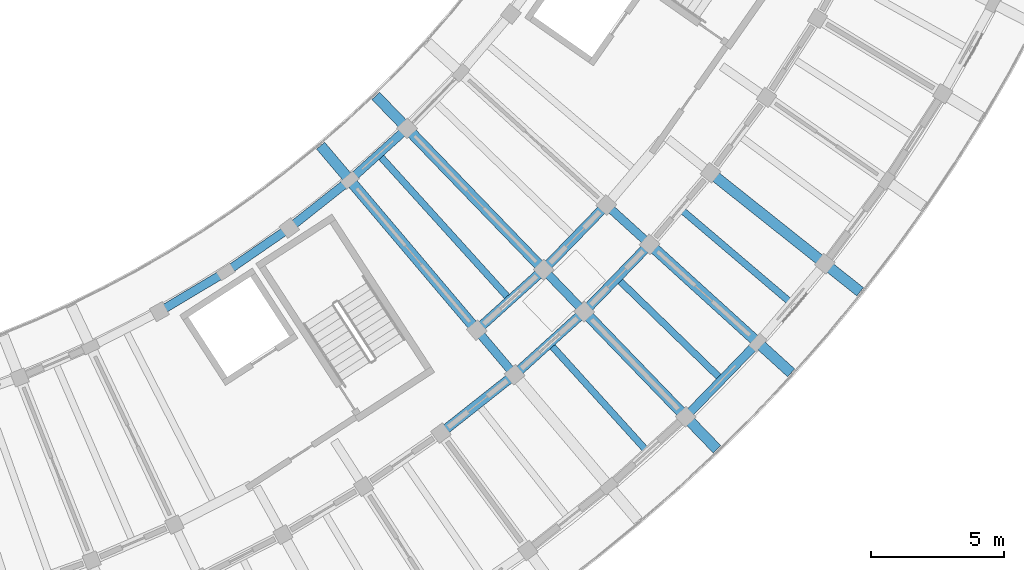
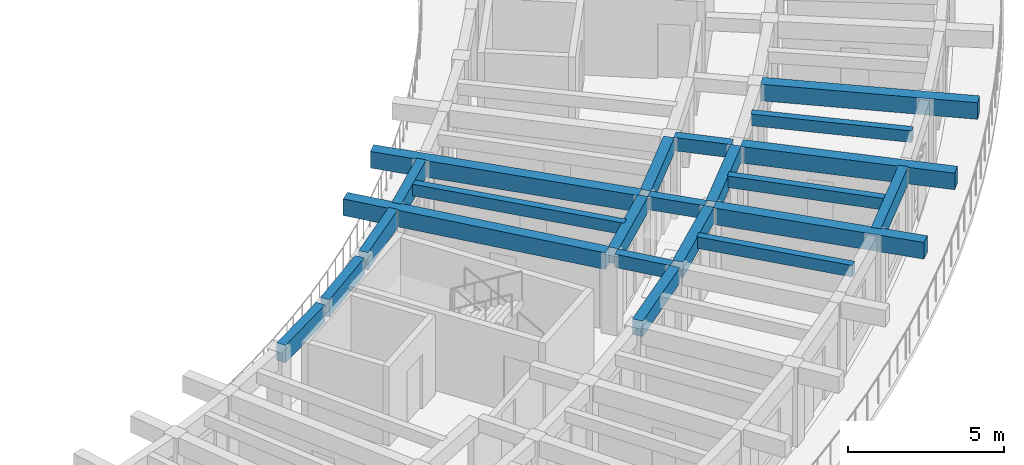
# One storey, part 17 of 81: 22 beams.
"""IFC4 building model written with IfcOpenShell, lengths in metres."""

import ifcopenshell
import ifcopenshell.guid

model = None  # the IFC model being written
_history = None  # IfcOwnerHistory: only IFC2X3 demands one
_inside = {}  # id of a spatial element -> (the spatial element, [elements in it])
_under = {}  # id of a project, library or spatial element -> (it, [spatial elements below it])
_declared = {}  # id of a project -> (the project, [libraries it declares])
_typed = {}  # id of a type object -> (the type object, [elements of that type])
_made_of = {}  # id of a material, layer set ... -> (it, [elements and type objects made of it])


def new_model(schema):
    """Start an empty IFC model of exactly this schema.

    Asked for "IFC4X3", IfcOpenShell would pick the latest addendum, in which some entities
    have other attributes; the version numbers below select the first issue.
    IFC2X3 requires an IfcOwnerHistory on every rooted entity: one is made here for all.
    """
    global model, _history
    if schema == "IFC4X3":
        model = ifcopenshell.file(schema_version=(4, 3, 0, 0))
    else:
        model = ifcopenshell.file(schema=schema)
    _inside.clear()
    _under.clear()
    _declared.clear()
    _typed.clear()
    _made_of.clear()
    _history = None
    if model.schema == "IFC2X3":
        org = make("IfcOrganization", Name="unknown")
        user = make(
            "IfcPersonAndOrganization",
            ThePerson=make("IfcPerson", FamilyName="unknown"),
            TheOrganization=org,
        )
        app = make(
            "IfcApplication",
            ApplicationDeveloper=org,
            Version="unknown",
            ApplicationFullName="unknown",
            ApplicationIdentifier="unknown",
        )
        _history = make(
            "IfcOwnerHistory",
            OwningUser=user,
            OwningApplication=app,
            ChangeAction="ADDED",
            CreationDate=0,
        )
    return model


def make(cls, **values):
    """One entity of the class cls with the attributes given. An attribute that is None is left unset."""
    return model.create_entity(
        cls, **{name: value for name, value in values.items() if value is not None}
    )


def rooted(cls, **values):
    """An entity with a GlobalId (a new one), such as an element, a storey or a relation."""
    return make(cls, GlobalId=ifcopenshell.guid.new(), OwnerHistory=_history, **values)


def si_unit(unit_type, name, prefix=None):
    """IfcSIUnit, for example si_unit("LENGTHUNIT", "METRE", prefix="MILLI")."""
    return make("IfcSIUnit", UnitType=unit_type, Prefix=prefix, Name=name)


def assignment(units):
    """IfcUnitAssignment: the units of a project."""
    return None if units is None else make("IfcUnitAssignment", Units=units)


def point(xyz):
    """IfcCartesianPoint."""
    return None if xyz is None else make("IfcCartesianPoint", Coordinates=xyz)


def direction(xyz):
    """IfcDirection."""
    return None if xyz is None else make("IfcDirection", DirectionRatios=xyz)


def frame(location, z_axis=None, x_axis=None):
    """IfcAxis2Placement3D, a coordinate frame: its origin and axes. An axis left out is left unset."""
    return make(
        "IfcAxis2Placement3D",
        Location=point(location),
        Axis=direction(z_axis),
        RefDirection=direction(x_axis),
    )


def frame_2d(location, x_axis=None):
    """IfcAxis2Placement2D, a coordinate frame in the plane: its origin and x axis."""
    return make(
        "IfcAxis2Placement2D", Location=point(location), RefDirection=direction(x_axis)
    )


def origin():
    """The frame at (0, 0, 0) with its axes left unset."""
    return frame((0.0, 0.0, 0.0))


def origin_2d():
    """The frame at (0, 0) in the plane with its x axis left unset."""
    return frame_2d((0.0, 0.0))


def place(relative_to, where):
    """IfcLocalPlacement: puts the frame where relative to a parent placement (None: the world)."""
    return make(
        "IfcLocalPlacement", PlacementRelTo=relative_to, RelativePlacement=where
    )


def context(
    kind, dimensions, precision=None, world=None, true_north=None, identifier=None
):
    """IfcGeometricRepresentationContext, for example the 3D "Model" context."""
    return make(
        "IfcGeometricRepresentationContext",
        ContextIdentifier=identifier,
        ContextType=kind,
        CoordinateSpaceDimension=dimensions,
        Precision=precision,
        WorldCoordinateSystem=world,
        TrueNorth=true_north,
    )


def subcontext(parent, identifier, kind, view, scale=None):
    """IfcGeometricRepresentationSubContext, for example "Body" below "Model"."""
    return make(
        "IfcGeometricRepresentationSubContext",
        ContextIdentifier=identifier,
        ContextType=kind,
        ParentContext=parent,
        TargetScale=scale,
        TargetView=view,
    )


def project(units=None, contexts=None):
    """IfcProject with its units and contexts."""
    return rooted(
        "IfcProject",
        Name="project",
        RepresentationContexts=contexts,
        UnitsInContext=assignment(units),
    )


def spatial(cls, under=None, at=None, **own):
    """A site, building, storey or space (cls), placed at a placement, below another one or the project."""
    s = rooted(cls, ObjectPlacement=at, **own)
    if under is not None:
        _under.setdefault(under.id(), (under, []))[1].append(s)
    return s


def profile(cls, at=None, kind="AREA", **sizes):
    """A parametric profile (cls). Its sizes go by their IFC names, for example OverallWidth=200.0."""
    return make(cls, ProfileType=kind, Position=at, **sizes)


def rectangle(**sizes):
    """IfcRectangleProfileDef."""
    return profile("IfcRectangleProfileDef", **sizes)


def extrude(swept, where, along, depth):
    """IfcExtrudedAreaSolid: the profile swept, set in the frame where, extruded along a direction by depth."""
    return make(
        "IfcExtrudedAreaSolid",
        SweptArea=swept,
        Position=where,
        ExtrudedDirection=direction(along),
        Depth=depth,
    )


def shape(context_of_items, identifier, shape_type, items):
    """IfcShapeRepresentation: the items that make up one representation, for example the "Body"."""
    return make(
        "IfcShapeRepresentation",
        ContextOfItems=context_of_items,
        RepresentationIdentifier=identifier,
        RepresentationType=shape_type,
        Items=items,
    )


def material(Name=None, Category=None):
    """IfcMaterial."""
    return make("IfcMaterial", Name=Name, Category=Category)


def material_profile(
    of_material, cross_section, Name=None, Category=None, Priority=None
):
    """IfcMaterialProfile: a cross section and its material."""
    return make(
        "IfcMaterialProfile",
        Name=Name,
        Material=of_material,
        Profile=cross_section,
        Priority=Priority,
        Category=Category,
    )


def profile_set(profiles, Name=None, composite=None):
    """IfcMaterialProfileSet."""
    return make(
        "IfcMaterialProfileSet",
        Name=Name,
        MaterialProfiles=profiles,
        CompositeProfile=composite,
    )


def made_of(thing, what):
    """Note that an element or type object is made of a material, layer set ...; save() writes the relation."""
    if what is not None:
        _made_of.setdefault(what.id(), (what, []))[1].append(thing)
    return thing


def type_object(cls, material=None, **own):
    """A type object (cls), such as IfcWallType, which elements share."""
    return made_of(rooted(cls, **own), material)


def element(
    cls,
    number,
    at=None,
    inside=None,
    cuts=None,
    type_object=None,
    material=None,
    context=None,
    identifier="Body",
    shape_type=None,
    held_by="IfcProductDefinitionShape",
    body=None,
    shapes=None,
    **own,
):
    """One element of the class cls, such as IfcWall. Its Tag is "e" and its number.

    at: its placement. inside: the storey or other place that contains it. cuts: it is an
    opening in that element (IfcRelVoidsElement). A single representation is given by context,
    identifier, shape_type and body (its items); several are given by shapes. held_by: the class
    of the entity that holds the representations. save() writes the other relations.
    """
    e = rooted(cls, Tag="e%d" % number, ObjectPlacement=at, **own)
    if body is not None:
        shapes = [shape(context, identifier, shape_type, body)]
    if shapes is not None:
        e.Representation = make(held_by, Representations=shapes)
    if inside is not None:
        _inside.setdefault(inside.id(), (inside, []))[1].append(e)
    if cuts is not None:
        rooted(
            "IfcRelVoidsElement", RelatingBuildingElement=cuts, RelatedOpeningElement=e
        )
    if type_object is not None:
        _typed.setdefault(type_object.id(), (type_object, []))[1].append(e)
    return made_of(e, material)


def aggregate(whole, parts):
    """IfcRelAggregates: a whole, such as a stair, and the parts it consists of."""
    return rooted("IfcRelAggregates", RelatingObject=whole, RelatedObjects=parts)


def save(model, path):
    """Write the relations noted so far, then the file.

    IfcRelAggregates (storeys below a building ...), IfcRelContainedInSpatialStructure (elements
    in a storey), IfcRelDefinesByType, IfcRelAssociatesMaterial and IfcRelDeclares: one each for
    every whole, place, type object, material and project.
    """
    for whole, parts in _under.values():
        aggregate(whole, parts)
    for where, things in _inside.values():
        rooted(
            "IfcRelContainedInSpatialStructure",
            RelatedElements=things,
            RelatingStructure=where,
        )
    for kind, things in _typed.values():
        rooted("IfcRelDefinesByType", RelatedObjects=things, RelatingType=kind)
    for what, things in _made_of.values():
        rooted("IfcRelAssociatesMaterial", RelatedObjects=things, RelatingMaterial=what)
    for by, libraries in _declared.values():
        rooted("IfcRelDeclares", RelatingContext=by, RelatedDefinitions=libraries)
    model.write(path)


model = new_model("IFC4")

# Units and contexts
model_context = context("Model", 3, precision=1e-05, world=origin(), true_north=direction((0.0, 1.0)))
body_context = subcontext(model_context, "Body", "Model", "MODEL_VIEW")
ifc_project = project(units=[si_unit("LENGTHUNIT", "METRE"), si_unit("AREAUNIT", "SQUARE_METRE"), si_unit("VOLUMEUNIT", "CUBIC_METRE"), si_unit("PLANEANGLEUNIT", "RADIAN"), si_unit("MASSUNIT", "GRAM", prefix="KILO")], contexts=[model_context])

# Site, building, storey
site_placement = place(None, origin())
site = spatial("IfcSite", under=ifc_project, at=site_placement, CompositionType="ELEMENT")
building_placement = place(site_placement, origin())
building = spatial("IfcBuilding", under=site, at=building_placement, Name="Tanwirah Colonnade Gardens", CompositionType="ELEMENT")
storey_placement = place(building_placement, frame((0.0, 0.0, 8.840087890625)))
storey = spatial("IfcBuildingStorey", under=building, at=storey_placement, Name="L02", CompositionType="ELEMENT", Elevation=8.840087890625)

# Beams
ifc_material_1 = material(Name="Precast concrete C40/50", Category="concrete")
ifc_material_profile_1 = material_profile(ifc_material_1, rectangle(XDim=0.360107421875, YDim=0.610107421875, at=origin_2d()), Name="PC-BM 360x610")
ifc_profile_set_1 = profile_set([ifc_material_profile_1], Name="Precast concrete C40/50")
beam_type_1 = type_object("IfcBeamType", Name="BM-PC300", PredefinedType="BEAM", material=ifc_profile_set_1)
beam_1_placement = place(storey_placement, frame((153.267822265625, 21.144775390625, 2.7998046875), z_axis=(0.783993819374, 0.620768629349, 0.0), x_axis=(-0.620768629349, 0.783993819374, 0.0)))
element("IfcBeam", 1, at=beam_1_placement, inside=storey, type_object=beam_type_1, Name="Block D L02 Circumferential Beam 6-R2", PredefinedType="BEAM", context=body_context, shape_type="SweptSolid", body=[
    extrude(rectangle(XDim=0.360107421875, YDim=0.610107421875, at=origin_2d()), origin(), (0.0, 0.0, 1.0), 3.23681640625),
])
beam_2_placement = place(storey_placement, frame((154.61279296875, 25.027099609375, 2.7998046875), z_axis=(0.741698455559, 0.670733479873, 0.0), x_axis=(-0.670733479873, 0.741698455559, 0.0)))
element("IfcBeam", 2, at=beam_2_placement, inside=storey, type_object=beam_type_1, Name="Block D L02 Circumferential Beam 7-R1", PredefinedType="BEAM", context=body_context, shape_type="SweptSolid", body=[
    extrude(rectangle(XDim=0.360107421875, YDim=0.610107421875, at=origin_2d()), origin(), (0.0, 0.0, 1.0), 3.0927734375),
])
beam_3_placement = place(storey_placement, frame((156.0341796875, 23.347900390625, 2.7998046875), z_axis=(0.741701929733, 0.670729638104, 0.0), x_axis=(-0.670729638104, 0.741701929733, 0.0)))
element("IfcBeam", 3, at=beam_3_placement, inside=storey, type_object=beam_type_1, Name="Block D L02 Circumferential Beam 7-R2", PredefinedType="BEAM", context=body_context, shape_type="SweptSolid", body=[
    extrude(rectangle(XDim=0.360107421875, YDim=0.610107421875, at=origin_2d()), origin(), (0.0, 0.0, 1.0), 3.237060546875),
])
beam_4_placement = place(storey_placement, frame((157.12255859375, 27.309814453125, 2.7998046875), z_axis=(0.696209937932, 0.71783822852, 0.0), x_axis=(-0.71783822852, 0.696209937932, 0.0)))
element("IfcBeam", 4, at=beam_4_placement, inside=storey, type_object=beam_type_1, Name="Block D L02 Circumferential Beam 8-R1", PredefinedType="BEAM", context=body_context, shape_type="SweptSolid", body=[
    extrude(rectangle(XDim=0.360107421875, YDim=0.610107421875, at=origin_2d()), origin(), (0.0, 0.0, 1.0), 3.093017578125),
])
beam_5_placement = place(storey_placement, frame((158.650634765625, 25.727294921875, 2.7998046875), z_axis=(0.696238887656, 0.717810149911, 0.0), x_axis=(-0.717810149911, 0.696238887656, 0.0)))
element("IfcBeam", 5, at=beam_5_placement, inside=storey, type_object=beam_type_1, Name="Block D L02 Circumferential Beam 8-R2", PredefinedType="BEAM", context=body_context, shape_type="SweptSolid", body=[
    extrude(rectangle(XDim=0.360107421875, YDim=0.610107421875, at=origin_2d()), origin(), (0.0, 0.0, 1.0), 3.23681640625),
])
ifc_material_profile_2 = material_profile(ifc_material_1, rectangle(XDim=0.320068359375, YDim=0.52001953125, at=origin_2d()), Name="PC-BM 320x520")
ifc_profile_set_2 = profile_set([ifc_material_profile_2], Name="Precast concrete C40/50")
beam_type_2 = type_object("IfcBeamType", Name="BM-PC320", PredefinedType="BEAM", material=ifc_profile_set_2)
beam_6_placement = place(storey_placement, frame((154.598388671875, 24.81201171875, 2.844970703125), z_axis=(0.646155325581, -0.763205932382, 0.0), x_axis=(0.763205932382, 0.646155325581, 0.0)))
element("IfcBeam", 6, at=beam_6_placement, inside=storey, type_object=beam_type_2, Name="Block D L02 Corridor Tie Beam 7", PredefinedType="BEAM", context=body_context, shape_type="SweptSolid", body=[
    extrude(rectangle(XDim=0.320068359375, YDim=0.52001953125, at=origin_2d()), origin(), (0.0, 0.0, 1.0), 1.900146484375),
])
beam_7_placement = place(storey_placement, frame((157.122314453125, 27.09423828125, 2.844970703125), z_axis=(0.694663306685, -0.719335033448, 0.0), x_axis=(0.719335033448, 0.694663306685, 0.0)))
element("IfcBeam", 7, at=beam_7_placement, inside=storey, type_object=beam_type_2, Name="Block D L02 Corridor Tie Beam 8", PredefinedType="BEAM", context=body_context, shape_type="SweptSolid", body=[
    extrude(rectangle(XDim=0.320068359375, YDim=0.52001953125, at=origin_2d()), origin(), (0.0, 0.0, 1.0), 1.89990234375),
])
beam_8_placement = place(storey_placement, frame((159.491455078125, 29.536865234375, 2.844970703125), z_axis=(0.740219127015, -0.672365707038, 0.0), x_axis=(0.672365707038, 0.740219127015, 0.0)))
element("IfcBeam", 8, at=beam_8_placement, inside=storey, type_object=beam_type_2, Name="Block D L02 Corridor Tie Beam 9", PredefinedType="BEAM", context=body_context, shape_type="SweptSolid", body=[
    extrude(rectangle(XDim=0.320068359375, YDim=0.52001953125, at=origin_2d()), origin(), (0.0, 0.0, 1.0), 1.899658203125),
])
ifc_material_2 = material(Name="Precast concrete C45/55", Category="concrete")
ifc_material_profile_3 = material_profile(ifc_material_2, rectangle(XDim=0.39990234375, YDim=0.64990234375, at=origin_2d()), Name="PC-BM 400x650")
ifc_profile_set_3 = profile_set([ifc_material_profile_3], Name="Precast concrete C45/55")
beam_type_3 = type_object("IfcBeamType", Name="BM-PC400", PredefinedType="BEAM", material=ifc_profile_set_3)
beam_9_placement = place(storey_placement, frame((154.404541015625, 25.040771484375, 2.780029296875), z_axis=(-0.64611097415, 0.763243479554, 0.0), x_axis=(-0.763243479554, -0.64611097415, 0.0)))
element("IfcBeam", 9, at=beam_9_placement, inside=storey, type_object=beam_type_3, Name="Block D L02 Inner Radial Precast Girder 7", PredefinedType="BEAM", context=body_context, shape_type="SweptSolid", body=[
    extrude(rectangle(XDim=0.39990234375, YDim=0.64990234375, at=origin_2d()), origin(), (0.0, 0.0, 1.0), 8.949951171875),
])
beam_10_placement = place(storey_placement, frame((156.913818359375, 27.31005859375, 2.780029296875), z_axis=(-0.694655848402, 0.719342235852, 0.0), x_axis=(-0.719342235852, -0.694655848402, 0.0)))
element("IfcBeam", 10, at=beam_10_placement, inside=storey, type_object=beam_type_3, Name="Block D L02 Inner Radial Precast Girder 8", PredefinedType="BEAM", context=body_context, shape_type="SweptSolid", body=[
    extrude(rectangle(XDim=0.39990234375, YDim=0.64990234375, at=origin_2d()), origin(), (0.0, 0.0, 1.0), 8.9501953125),
])
beam_11_placement = place(storey_placement, frame((158.650390625, 25.51171875, 2.780029296875), z_axis=(0.69467114255, -0.719327466254, 0.0), x_axis=(0.719327466254, 0.69467114255, 0.0)))
element("IfcBeam", 11, at=beam_11_placement, inside=storey, type_object=beam_type_3, Name="Block D L02 Outer Radial Precast Girder 8", PredefinedType="BEAM", context=body_context, shape_type="SweptSolid", body=[
    extrude(rectangle(XDim=0.39990234375, YDim=0.64990234375, at=origin_2d()), origin(), (0.0, 0.0, 1.0), 7.050048828125),
])
for number, where, z_axis, x_axis, name in (
    (12, (161.119873046875, 28.0576171875, 2.780029296875), (0.740229899169, -0.672353847596, 0.0), (0.672353847596, 0.740229899169, 0.0), "Block D L02 Outer Radial Precast Girder 9"),
    (13, (163.41748046875, 30.759765625, 2.780029296875), (0.782609106384, -0.622513442911, 0.0), (0.622513442911, 0.782609106384, 0.0), "Block D L02 Outer Radial Precast Girder 10"),
):
    element("IfcBeam", number, at=place(storey_placement, frame(where, z_axis=z_axis, x_axis=x_axis)), inside=storey, type_object=beam_type_3, Name=name, PredefinedType="BEAM", context=body_context, shape_type="SweptSolid", body=[
        extrude(rectangle(XDim=0.39990234375, YDim=0.64990234375, at=origin_2d()), origin(), (0.0, 0.0, 1.0), 7.0498046875),
    ])
ifc_material_profile_4 = material_profile(ifc_material_1, rectangle(XDim=0.2548828125, YDim=0.455078125, at=origin_2d()), Name="PC-JST 255x455")
ifc_profile_set_4 = profile_set([ifc_material_profile_4], Name="Precast concrete C40/50")
beam_type_4 = type_object("IfcBeamType", Name="JST-PC240", PredefinedType="JOIST", material=ifc_profile_set_4)
beam_12_placement = place(storey_placement, frame((157.33447265625, 24.322998046875, 2.87744140625), z_axis=(0.670780841255, -0.741655622918, 0.0), x_axis=(0.741655622918, 0.670780841255, 0.0)))
element("IfcBeam", 14, at=beam_12_placement, inside=storey, type_object=beam_type_4, Name="Block D L02 Precast Floor Joist 7", PredefinedType="JOIST", context=body_context, shape_type="SweptSolid", body=[
    extrude(rectangle(XDim=0.2548828125, YDim=0.455078125, at=origin_2d()), origin(), (0.0, 0.0, 1.0), 5.260009765625),
])
beam_13_placement = place(storey_placement, frame((150.895263671875, 31.443115234375, 2.87744140625), z_axis=(0.670773136608, -0.741662591214, 0.0), x_axis=(0.741662591214, 0.670773136608, 0.0)))
element("IfcBeam", 15, at=beam_13_placement, inside=storey, type_object=beam_type_4, Name="Block D L02 Inner Precast Floor Joist 7", PredefinedType="JOIST", context=body_context, shape_type="SweptSolid", body=[
    extrude(rectangle(XDim=0.2548828125, YDim=0.455078125, at=origin_2d()), origin(), (0.0, 0.0, 1.0), 7.159912109375),
])
for number, where, z_axis, x_axis, name in (
    (16, (159.884521484375, 26.785400390625, 2.87744140625), (0.717816036263, -0.696232818878, 0.0), (0.696232818878, 0.717816036263, 0.0), "Block D L02 Precast Floor Joist 8"),
    (17, (162.267822265625, 29.409423828125, 2.87744140625), (0.761803021124, -0.647808734895, 0.0), (0.647808734895, 0.761803021124, 0.0), "Block D L02 Precast Floor Joist 9"),
):
    element("IfcBeam", number, at=place(storey_placement, frame(where, z_axis=z_axis, x_axis=x_axis)), inside=storey, type_object=beam_type_4, Name=name, PredefinedType="JOIST", context=body_context, shape_type="SweptSolid", body=[
        extrude(rectangle(XDim=0.2548828125, YDim=0.455078125, at=origin_2d()), origin(), (0.0, 0.0, 1.0), 5.260009765625),
    ])
ifc_material_profile_5 = material_profile(ifc_material_1, rectangle(XDim=0.324951171875, YDim=0.68505859375, at=origin_2d()), Name="PC-SP 325x685")
ifc_profile_set_5 = profile_set([ifc_material_profile_5], Name="Precast concrete C40/50")
beam_type_5 = type_object("IfcBeamType", Name="SP-PC260", PredefinedType="SPANDREL", material=ifc_profile_set_5)
beam_14_placement = place(storey_placement, frame((142.678466796875, 25.7001953125, 2.762451171875), z_axis=(0.858301131151, 0.513146341958, 0.0), x_axis=(-0.513146341958, 0.858301131151, 0.0)))
element("IfcBeam", 18, at=beam_14_placement, inside=storey, type_object=beam_type_5, Name="Block D L02 Circumferential Beam 4-R0", PredefinedType="SPANDREL", context=body_context, shape_type="SweptSolid", body=[
    extrude(rectangle(XDim=0.324951171875, YDim=0.68505859375, at=origin_2d()), origin(), (0.0, 0.0, 1.0), 2.608642578125),
])
for number, where, z_axis, x_axis, name in (
    (19, (145.169677734375, 27.200927734375, 2.762451171875), (0.822868771031, 0.568231454305, 0.0), (-0.568231454305, 0.822868771031, 0.0), "Block D L02 Circumferential Beam 5-R0"),
    (20, (147.557373046875, 28.861572265625, 2.762451171875), (0.783945239852, 0.62082997746, 0.0), (-0.62082997746, 0.783945239852, 0.0), "Block D L02 Circumferential Beam 6-R0"),
):
    element("IfcBeam", number, at=place(storey_placement, frame(where, z_axis=z_axis, x_axis=x_axis)), inside=storey, type_object=beam_type_5, Name=name, PredefinedType="SPANDREL", context=body_context, shape_type="SweptSolid", body=[
        extrude(rectangle(XDim=0.324951171875, YDim=0.68505859375, at=origin_2d()), origin(), (0.0, 0.0, 1.0), 2.60888671875),
    ])
beam_15_placement = place(storey_placement, frame((149.83154296875, 30.675048828125, 2.762451171875), z_axis=(0.741686528432, 0.670746668678, 0.0), x_axis=(-0.670746668678, 0.741686528432, 0.0)))
element("IfcBeam", 21, at=beam_15_placement, inside=storey, type_object=beam_type_5, Name="Block D L02 Circumferential Beam 7-R0", PredefinedType="SPANDREL", context=body_context, shape_type="SweptSolid", body=[
    extrude(rectangle(XDim=0.324951171875, YDim=0.68505859375, at=origin_2d()), origin(), (0.0, 0.0, 1.0), 2.608642578125),
])
beam_16_placement = place(storey_placement, frame((162.471435546875, 21.77099609375, 2.762451171875), z_axis=(0.696231699401, 0.717817122079, 0.0), x_axis=(-0.717817122079, 0.696231699401, 0.0)))
element("IfcBeam", 22, at=beam_16_placement, inside=storey, type_object=beam_type_5, Name="Block D L02 Circumferential Beam 8-R3", PredefinedType="SPANDREL", context=body_context, shape_type="SweptSolid", body=[
    extrude(rectangle(XDim=0.324951171875, YDim=0.68505859375, at=origin_2d()), origin(), (0.0, 0.0, 1.0), 3.5966796875),
])

save(model, "model.ifc")
